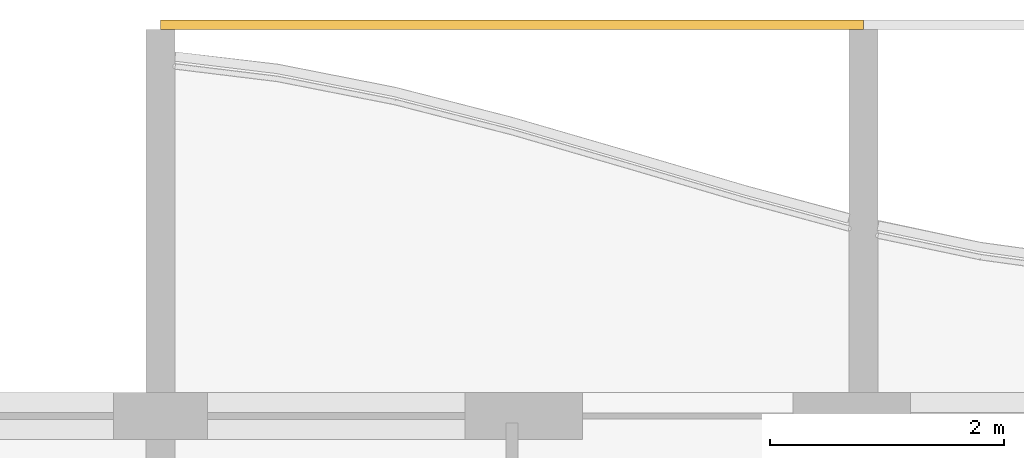
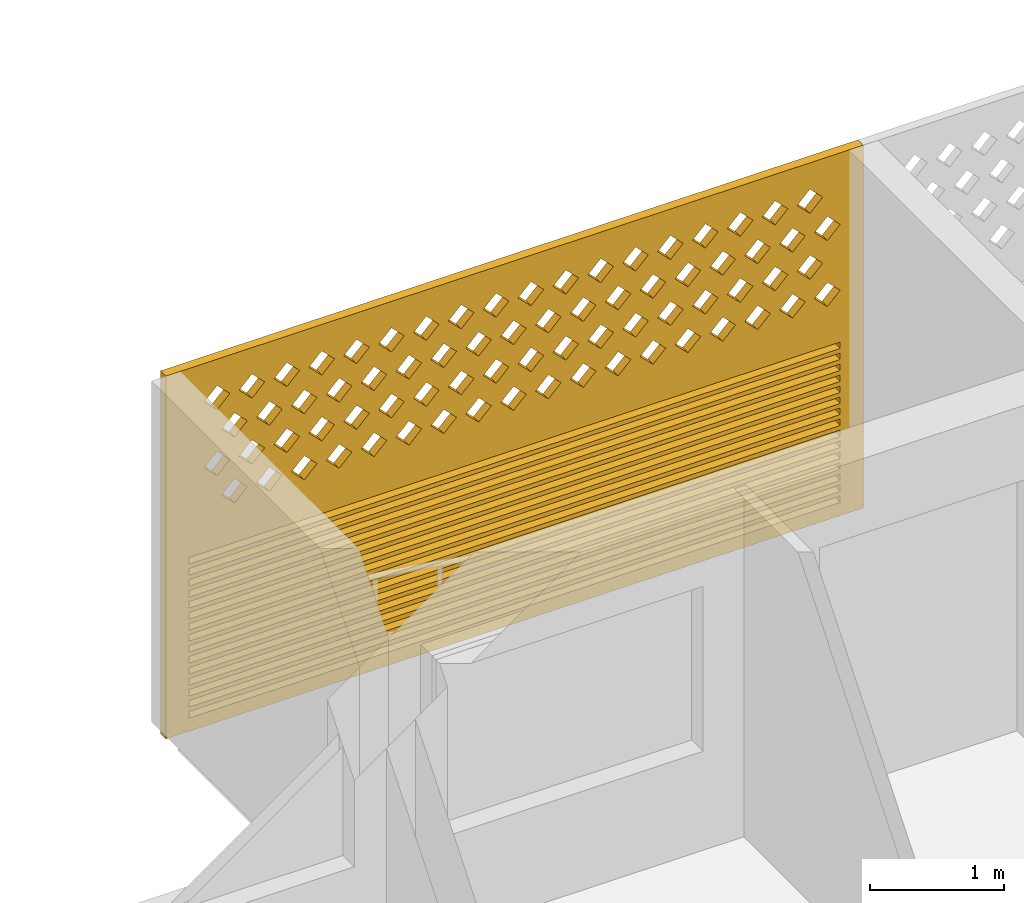
# One storey, part 17 of 27: 1 covering.
"""IFC4 building model written with IfcOpenShell, lengths in metres."""

from ifc_helpers import new_model, si_unit, direction, frame, origin, place, context, subcontext, project, spatial, polyline, outline, extrude, source, transform, mapped, material, material_profile, profile_set, type_object, element, save


model = new_model("IFC4")

# Units and contexts
model_context = context("Model", 3, precision=1e-05, world=origin(), true_north=direction((0.0, 1.0)))
body_context = subcontext(model_context, "Body", "Model", "MODEL_VIEW")
ifc_project = project(units=[si_unit("LENGTHUNIT", "METRE"), si_unit("AREAUNIT", "SQUARE_METRE"), si_unit("VOLUMEUNIT", "CUBIC_METRE"), si_unit("PLANEANGLEUNIT", "RADIAN"), si_unit("MASSUNIT", "GRAM", prefix="KILO")], contexts=[model_context])

# Site, building, storey
site_placement = place(None, origin())
site = spatial("IfcSite", under=ifc_project, at=site_placement, CompositionType="ELEMENT")
building_placement = place(site_placement, origin())
building = spatial("IfcBuilding", under=site, at=building_placement, Name="Poui Terraces", CompositionType="ELEMENT")
storey_placement = place(building_placement, frame((0.0, 0.0, 251.10009765625)))
storey = spatial("IfcBuildingStorey", under=building, at=storey_placement, Name="L70", CompositionType="ELEMENT", Elevation=251.10009765625)

# Covering
ifc_material = material(Name="Terracotta screen", Category="masonry")
ifc_material_profile = material_profile(ifc_material, outline(polyline([(-3.0, -1.64990234375), (3.0, -1.64990234375), (3.0, 1.64990234375), (-3.0, 1.64990234375), (-3.0, -1.64990234375)]), holes=[polyline([(-2.800048828125, 0.39990234375), (-2.68994140625, 0.2900390625), (-2.580078125, 0.39990234375), (-2.68994140625, 0.510009765625), (-2.800048828125, 0.39990234375)]), polyline([(-2.5, 0.39990234375), (-2.389892578125, 0.2900390625), (-2.280029296875, 0.39990234375), (-2.389892578125, 0.510009765625), (-2.5, 0.39990234375)]), polyline([(-2.199951171875, 0.39990234375), (-2.090087890625, 0.2900390625), (-1.97998046875, 0.39990234375), (-2.090087890625, 0.510009765625), (-2.199951171875, 0.39990234375)]), polyline([(-1.89990234375, 0.39990234375), (-1.7900390625, 0.2900390625), (-1.679931640625, 0.39990234375), (-1.7900390625, 0.510009765625), (-1.89990234375, 0.39990234375)]), polyline([(-1.60009765625, 0.39990234375), (-1.489990234375, 0.2900390625), (-1.3798828125, 0.39990234375), (-1.489990234375, 0.510009765625), (-1.60009765625, 0.39990234375)]), polyline([(-1.300048828125, 0.39990234375), (-1.18994140625, 0.2900390625), (-1.080078125, 0.39990234375), (-1.18994140625, 0.510009765625), (-1.300048828125, 0.39990234375)]), polyline([(-1.0, 0.39990234375), (-0.889892578125, 0.2900390625), (-0.780029296875, 0.39990234375), (-0.889892578125, 0.510009765625), (-1.0, 0.39990234375)]), polyline([(-0.699951171875, 0.39990234375), (-0.590087890625, 0.2900390625), (-0.47998046875, 0.39990234375), (-0.590087890625, 0.510009765625), (-0.699951171875, 0.39990234375)]), polyline([(-0.39990234375, 0.39990234375), (-0.2900390625, 0.2900390625), (-0.179931640625, 0.39990234375), (-0.2900390625, 0.510009765625), (-0.39990234375, 0.39990234375)]), polyline([(-0.10009765625, 0.39990234375), (0.010009765625, 0.2900390625), (0.1201171875, 0.39990234375), (0.010009765625, 0.510009765625), (-0.10009765625, 0.39990234375)]), polyline([(0.199951171875, 0.39990234375), (0.31005859375, 0.2900390625), (0.419921875, 0.39990234375), (0.31005859375, 0.510009765625), (0.199951171875, 0.39990234375)]), polyline([(0.5, 0.39990234375), (0.610107421875, 0.2900390625), (0.719970703125, 0.39990234375), (0.610107421875, 0.510009765625), (0.5, 0.39990234375)]), polyline([(0.800048828125, 0.39990234375), (0.909912109375, 0.2900390625), (1.02001953125, 0.39990234375), (0.909912109375, 0.510009765625), (0.800048828125, 0.39990234375)]), polyline([(1.10009765625, 0.39990234375), (1.2099609375, 0.2900390625), (1.320068359375, 0.39990234375), (1.2099609375, 0.510009765625), (1.10009765625, 0.39990234375)]), polyline([(1.39990234375, 0.39990234375), (1.510009765625, 0.2900390625), (1.6201171875, 0.39990234375), (1.510009765625, 0.510009765625), (1.39990234375, 0.39990234375)]), polyline([(1.699951171875, 0.39990234375), (1.81005859375, 0.2900390625), (1.919921875, 0.39990234375), (1.81005859375, 0.510009765625), (1.699951171875, 0.39990234375)]), polyline([(2.0, 0.39990234375), (2.110107421875, 0.2900390625), (2.219970703125, 0.39990234375), (2.110107421875, 0.510009765625), (2.0, 0.39990234375)]), polyline([(2.300048828125, 0.39990234375), (2.409912109375, 0.2900390625), (2.52001953125, 0.39990234375), (2.409912109375, 0.510009765625), (2.300048828125, 0.39990234375)]), polyline([(-2.64990234375, 0.699951171875), (-2.5400390625, 0.590087890625), (-2.429931640625, 0.699951171875), (-2.5400390625, 0.81005859375), (-2.64990234375, 0.699951171875)]), polyline([(-2.35009765625, 0.699951171875), (-2.239990234375, 0.590087890625), (-2.1298828125, 0.699951171875), (-2.239990234375, 0.81005859375), (-2.35009765625, 0.699951171875)]), polyline([(-2.050048828125, 0.699951171875), (-1.93994140625, 0.590087890625), (-1.830078125, 0.699951171875), (-1.93994140625, 0.81005859375), (-2.050048828125, 0.699951171875)]), polyline([(-1.75, 0.699951171875), (-1.639892578125, 0.590087890625), (-1.530029296875, 0.699951171875), (-1.639892578125, 0.81005859375), (-1.75, 0.699951171875)]), polyline([(-1.449951171875, 0.699951171875), (-1.340087890625, 0.590087890625), (-1.22998046875, 0.699951171875), (-1.340087890625, 0.81005859375), (-1.449951171875, 0.699951171875)]), polyline([(-1.14990234375, 0.699951171875), (-1.0400390625, 0.590087890625), (-0.929931640625, 0.699951171875), (-1.0400390625, 0.81005859375), (-1.14990234375, 0.699951171875)]), polyline([(-0.85009765625, 0.699951171875), (-0.739990234375, 0.590087890625), (-0.6298828125, 0.699951171875), (-0.739990234375, 0.81005859375), (-0.85009765625, 0.699951171875)]), polyline([(-0.550048828125, 0.699951171875), (-0.43994140625, 0.590087890625), (-0.330078125, 0.699951171875), (-0.43994140625, 0.81005859375), (-0.550048828125, 0.699951171875)]), polyline([(-0.25, 0.699951171875), (-0.139892578125, 0.590087890625), (-0.030029296875, 0.699951171875), (-0.139892578125, 0.81005859375), (-0.25, 0.699951171875)]), polyline([(0.050048828125, 0.699951171875), (0.159912109375, 0.590087890625), (0.27001953125, 0.699951171875), (0.159912109375, 0.81005859375), (0.050048828125, 0.699951171875)]), polyline([(0.35009765625, 0.699951171875), (0.4599609375, 0.590087890625), (0.570068359375, 0.699951171875), (0.4599609375, 0.81005859375), (0.35009765625, 0.699951171875)]), polyline([(0.64990234375, 0.699951171875), (0.760009765625, 0.590087890625), (0.8701171875, 0.699951171875), (0.760009765625, 0.81005859375), (0.64990234375, 0.699951171875)]), polyline([(0.949951171875, 0.699951171875), (1.06005859375, 0.590087890625), (1.169921875, 0.699951171875), (1.06005859375, 0.81005859375), (0.949951171875, 0.699951171875)]), polyline([(1.25, 0.699951171875), (1.360107421875, 0.590087890625), (1.469970703125, 0.699951171875), (1.360107421875, 0.81005859375), (1.25, 0.699951171875)]), polyline([(1.550048828125, 0.699951171875), (1.659912109375, 0.590087890625), (1.77001953125, 0.699951171875), (1.659912109375, 0.81005859375), (1.550048828125, 0.699951171875)]), polyline([(1.85009765625, 0.699951171875), (1.9599609375, 0.590087890625), (2.070068359375, 0.699951171875), (1.9599609375, 0.81005859375), (1.85009765625, 0.699951171875)]), polyline([(2.14990234375, 0.699951171875), (2.260009765625, 0.590087890625), (2.3701171875, 0.699951171875), (2.260009765625, 0.81005859375), (2.14990234375, 0.699951171875)]), polyline([(2.449951171875, 0.699951171875), (2.56005859375, 0.590087890625), (2.669921875, 0.699951171875), (2.56005859375, 0.81005859375), (2.449951171875, 0.699951171875)]), polyline([(-2.800048828125, 1.0), (-2.68994140625, 0.889892578125), (-2.580078125, 1.0), (-2.68994140625, 1.110107421875), (-2.800048828125, 1.0)]), polyline([(-2.5, 1.0), (-2.389892578125, 0.889892578125), (-2.280029296875, 1.0), (-2.389892578125, 1.110107421875), (-2.5, 1.0)]), polyline([(-2.199951171875, 1.0), (-2.090087890625, 0.889892578125), (-1.97998046875, 1.0), (-2.090087890625, 1.110107421875), (-2.199951171875, 1.0)]), polyline([(-1.89990234375, 1.0), (-1.7900390625, 0.889892578125), (-1.679931640625, 1.0), (-1.7900390625, 1.110107421875), (-1.89990234375, 1.0)]), polyline([(-1.60009765625, 1.0), (-1.489990234375, 0.889892578125), (-1.3798828125, 1.0), (-1.489990234375, 1.110107421875), (-1.60009765625, 1.0)]), polyline([(-1.300048828125, 1.0), (-1.18994140625, 0.889892578125), (-1.080078125, 1.0), (-1.18994140625, 1.110107421875), (-1.300048828125, 1.0)]), polyline([(-1.0, 1.0), (-0.889892578125, 0.889892578125), (-0.780029296875, 1.0), (-0.889892578125, 1.110107421875), (-1.0, 1.0)]), polyline([(-0.699951171875, 1.0), (-0.590087890625, 0.889892578125), (-0.47998046875, 1.0), (-0.590087890625, 1.110107421875), (-0.699951171875, 1.0)]), polyline([(-0.39990234375, 1.0), (-0.2900390625, 0.889892578125), (-0.179931640625, 1.0), (-0.2900390625, 1.110107421875), (-0.39990234375, 1.0)]), polyline([(-0.10009765625, 1.0), (0.010009765625, 0.889892578125), (0.1201171875, 1.0), (0.010009765625, 1.110107421875), (-0.10009765625, 1.0)]), polyline([(0.199951171875, 1.0), (0.31005859375, 0.889892578125), (0.419921875, 1.0), (0.31005859375, 1.110107421875), (0.199951171875, 1.0)]), polyline([(0.5, 1.0), (0.610107421875, 0.889892578125), (0.719970703125, 1.0), (0.610107421875, 1.110107421875), (0.5, 1.0)]), polyline([(0.800048828125, 1.0), (0.909912109375, 0.889892578125), (1.02001953125, 1.0), (0.909912109375, 1.110107421875), (0.800048828125, 1.0)]), polyline([(1.10009765625, 1.0), (1.2099609375, 0.889892578125), (1.320068359375, 1.0), (1.2099609375, 1.110107421875), (1.10009765625, 1.0)]), polyline([(1.39990234375, 1.0), (1.510009765625, 0.889892578125), (1.6201171875, 1.0), (1.510009765625, 1.110107421875), (1.39990234375, 1.0)]), polyline([(1.699951171875, 1.0), (1.81005859375, 0.889892578125), (1.919921875, 1.0), (1.81005859375, 1.110107421875), (1.699951171875, 1.0)]), polyline([(2.0, 1.0), (2.110107421875, 0.889892578125), (2.219970703125, 1.0), (2.110107421875, 1.110107421875), (2.0, 1.0)]), polyline([(2.300048828125, 1.0), (2.409912109375, 0.889892578125), (2.52001953125, 1.0), (2.409912109375, 1.110107421875), (2.300048828125, 1.0)]), polyline([(-2.64990234375, 1.300048828125), (-2.5400390625, 1.18994140625), (-2.429931640625, 1.300048828125), (-2.5400390625, 1.409912109375), (-2.64990234375, 1.300048828125)]), polyline([(-2.35009765625, 1.300048828125), (-2.239990234375, 1.18994140625), (-2.1298828125, 1.300048828125), (-2.239990234375, 1.409912109375), (-2.35009765625, 1.300048828125)]), polyline([(-2.050048828125, 1.300048828125), (-1.93994140625, 1.18994140625), (-1.830078125, 1.300048828125), (-1.93994140625, 1.409912109375), (-2.050048828125, 1.300048828125)]), polyline([(-1.75, 1.300048828125), (-1.639892578125, 1.18994140625), (-1.530029296875, 1.300048828125), (-1.639892578125, 1.409912109375), (-1.75, 1.300048828125)]), polyline([(-1.449951171875, 1.300048828125), (-1.340087890625, 1.18994140625), (-1.22998046875, 1.300048828125), (-1.340087890625, 1.409912109375), (-1.449951171875, 1.300048828125)]), polyline([(-1.14990234375, 1.300048828125), (-1.0400390625, 1.18994140625), (-0.929931640625, 1.300048828125), (-1.0400390625, 1.409912109375), (-1.14990234375, 1.300048828125)]), polyline([(-0.85009765625, 1.300048828125), (-0.739990234375, 1.18994140625), (-0.6298828125, 1.300048828125), (-0.739990234375, 1.409912109375), (-0.85009765625, 1.300048828125)]), polyline([(-0.550048828125, 1.300048828125), (-0.43994140625, 1.18994140625), (-0.330078125, 1.300048828125), (-0.43994140625, 1.409912109375), (-0.550048828125, 1.300048828125)]), polyline([(-0.25, 1.300048828125), (-0.139892578125, 1.18994140625), (-0.030029296875, 1.300048828125), (-0.139892578125, 1.409912109375), (-0.25, 1.300048828125)]), polyline([(0.050048828125, 1.300048828125), (0.159912109375, 1.18994140625), (0.27001953125, 1.300048828125), (0.159912109375, 1.409912109375), (0.050048828125, 1.300048828125)]), polyline([(0.35009765625, 1.300048828125), (0.4599609375, 1.18994140625), (0.570068359375, 1.300048828125), (0.4599609375, 1.409912109375), (0.35009765625, 1.300048828125)]), polyline([(0.64990234375, 1.300048828125), (0.760009765625, 1.18994140625), (0.8701171875, 1.300048828125), (0.760009765625, 1.409912109375), (0.64990234375, 1.300048828125)]), polyline([(0.949951171875, 1.300048828125), (1.06005859375, 1.18994140625), (1.169921875, 1.300048828125), (1.06005859375, 1.409912109375), (0.949951171875, 1.300048828125)]), polyline([(1.25, 1.300048828125), (1.360107421875, 1.18994140625), (1.469970703125, 1.300048828125), (1.360107421875, 1.409912109375), (1.25, 1.300048828125)]), polyline([(1.550048828125, 1.300048828125), (1.659912109375, 1.18994140625), (1.77001953125, 1.300048828125), (1.659912109375, 1.409912109375), (1.550048828125, 1.300048828125)]), polyline([(1.85009765625, 1.300048828125), (1.9599609375, 1.18994140625), (2.070068359375, 1.300048828125), (1.9599609375, 1.409912109375), (1.85009765625, 1.300048828125)]), polyline([(2.14990234375, 1.300048828125), (2.260009765625, 1.18994140625), (2.3701171875, 1.300048828125), (2.260009765625, 1.409912109375), (2.14990234375, 1.300048828125)]), polyline([(2.449951171875, 1.300048828125), (2.56005859375, 1.18994140625), (2.669921875, 1.300048828125), (2.56005859375, 1.409912109375), (2.449951171875, 1.300048828125)]), polyline([(-2.800048828125, -1.530029296875), (2.800048828125, -1.530029296875), (2.800048828125, -1.469970703125), (-2.800048828125, -1.469970703125), (-2.800048828125, -1.530029296875)]), polyline([(-2.800048828125, -1.429931640625), (2.800048828125, -1.429931640625), (2.800048828125, -1.3701171875), (-2.800048828125, -1.3701171875), (-2.800048828125, -1.429931640625)]), polyline([(-2.800048828125, -1.330078125), (2.800048828125, -1.330078125), (2.800048828125, -1.27001953125), (-2.800048828125, -1.27001953125), (-2.800048828125, -1.330078125)]), polyline([(-2.800048828125, -1.22998046875), (2.800048828125, -1.22998046875), (2.800048828125, -1.169921875), (-2.800048828125, -1.169921875), (-2.800048828125, -1.22998046875)]), polyline([(-2.800048828125, -1.1298828125), (2.800048828125, -1.1298828125), (2.800048828125, -1.070068359375), (-2.800048828125, -1.070068359375), (-2.800048828125, -1.1298828125)]), polyline([(-2.800048828125, -1.030029296875), (2.800048828125, -1.030029296875), (2.800048828125, -0.969970703125), (-2.800048828125, -0.969970703125), (-2.800048828125, -1.030029296875)]), polyline([(-2.800048828125, -0.929931640625), (2.800048828125, -0.929931640625), (2.800048828125, -0.8701171875), (-2.800048828125, -0.8701171875), (-2.800048828125, -0.929931640625)]), polyline([(-2.800048828125, -0.830078125), (2.800048828125, -0.830078125), (2.800048828125, -0.77001953125), (-2.800048828125, -0.77001953125), (-2.800048828125, -0.830078125)]), polyline([(-2.800048828125, -0.72998046875), (2.800048828125, -0.72998046875), (2.800048828125, -0.669921875), (-2.800048828125, -0.669921875), (-2.800048828125, -0.72998046875)]), polyline([(-2.800048828125, -0.6298828125), (2.800048828125, -0.6298828125), (2.800048828125, -0.570068359375), (-2.800048828125, -0.570068359375), (-2.800048828125, -0.6298828125)]), polyline([(-2.800048828125, -0.530029296875), (2.800048828125, -0.530029296875), (2.800048828125, -0.469970703125), (-2.800048828125, -0.469970703125), (-2.800048828125, -0.530029296875)]), polyline([(-2.800048828125, -0.429931640625), (2.800048828125, -0.429931640625), (2.800048828125, -0.3701171875), (-2.800048828125, -0.3701171875), (-2.800048828125, -0.429931640625)]), polyline([(-2.800048828125, -0.330078125), (2.800048828125, -0.330078125), (2.800048828125, -0.27001953125), (-2.800048828125, -0.27001953125), (-2.800048828125, -0.330078125)]), polyline([(-2.800048828125, -0.22998046875), (2.800048828125, -0.22998046875), (2.800048828125, -0.169921875), (-2.800048828125, -0.169921875), (-2.800048828125, -0.22998046875)]), polyline([(-2.800048828125, -0.1298828125), (2.800048828125, -0.1298828125), (2.800048828125, -0.070068359375), (-2.800048828125, -0.070068359375), (-2.800048828125, -0.1298828125)])]), Name="TERRACOTTA SCREEN AND JALOUSIE LOUVRE 6000X3300")
ifc_profile_set = profile_set([ifc_material_profile], Name="Terracotta screen")
covering_type = type_object("IfcCoveringType", Name="TERRACOTTA SCREEN AND JALOUSIE LOUVRE 6000X3300", PredefinedType="CLADDING", material=ifc_profile_set)
shared_shape = source(origin(), body_context, "Body", "SweptSolid", [
    extrude(outline(polyline([(-3.0, -1.64990234375), (3.0, -1.64990234375), (3.0, 1.64990234375), (-3.0, 1.64990234375), (-3.0, -1.64990234375)]), holes=[polyline([(-2.800048828125, 0.39990234375), (-2.68994140625, 0.2900390625), (-2.580078125, 0.39990234375), (-2.68994140625, 0.510009765625), (-2.800048828125, 0.39990234375)]), polyline([(-2.5, 0.39990234375), (-2.389892578125, 0.2900390625), (-2.280029296875, 0.39990234375), (-2.389892578125, 0.510009765625), (-2.5, 0.39990234375)]), polyline([(-2.199951171875, 0.39990234375), (-2.090087890625, 0.2900390625), (-1.97998046875, 0.39990234375), (-2.090087890625, 0.510009765625), (-2.199951171875, 0.39990234375)]), polyline([(-1.89990234375, 0.39990234375), (-1.7900390625, 0.2900390625), (-1.679931640625, 0.39990234375), (-1.7900390625, 0.510009765625), (-1.89990234375, 0.39990234375)]), polyline([(-1.60009765625, 0.39990234375), (-1.489990234375, 0.2900390625), (-1.3798828125, 0.39990234375), (-1.489990234375, 0.510009765625), (-1.60009765625, 0.39990234375)]), polyline([(-1.300048828125, 0.39990234375), (-1.18994140625, 0.2900390625), (-1.080078125, 0.39990234375), (-1.18994140625, 0.510009765625), (-1.300048828125, 0.39990234375)]), polyline([(-1.0, 0.39990234375), (-0.889892578125, 0.2900390625), (-0.780029296875, 0.39990234375), (-0.889892578125, 0.510009765625), (-1.0, 0.39990234375)]), polyline([(-0.699951171875, 0.39990234375), (-0.590087890625, 0.2900390625), (-0.47998046875, 0.39990234375), (-0.590087890625, 0.510009765625), (-0.699951171875, 0.39990234375)]), polyline([(-0.39990234375, 0.39990234375), (-0.2900390625, 0.2900390625), (-0.179931640625, 0.39990234375), (-0.2900390625, 0.510009765625), (-0.39990234375, 0.39990234375)]), polyline([(-0.10009765625, 0.39990234375), (0.010009765625, 0.2900390625), (0.1201171875, 0.39990234375), (0.010009765625, 0.510009765625), (-0.10009765625, 0.39990234375)]), polyline([(0.199951171875, 0.39990234375), (0.31005859375, 0.2900390625), (0.419921875, 0.39990234375), (0.31005859375, 0.510009765625), (0.199951171875, 0.39990234375)]), polyline([(0.5, 0.39990234375), (0.610107421875, 0.2900390625), (0.719970703125, 0.39990234375), (0.610107421875, 0.510009765625), (0.5, 0.39990234375)]), polyline([(0.800048828125, 0.39990234375), (0.909912109375, 0.2900390625), (1.02001953125, 0.39990234375), (0.909912109375, 0.510009765625), (0.800048828125, 0.39990234375)]), polyline([(1.10009765625, 0.39990234375), (1.2099609375, 0.2900390625), (1.320068359375, 0.39990234375), (1.2099609375, 0.510009765625), (1.10009765625, 0.39990234375)]), polyline([(1.39990234375, 0.39990234375), (1.510009765625, 0.2900390625), (1.6201171875, 0.39990234375), (1.510009765625, 0.510009765625), (1.39990234375, 0.39990234375)]), polyline([(1.699951171875, 0.39990234375), (1.81005859375, 0.2900390625), (1.919921875, 0.39990234375), (1.81005859375, 0.510009765625), (1.699951171875, 0.39990234375)]), polyline([(2.0, 0.39990234375), (2.110107421875, 0.2900390625), (2.219970703125, 0.39990234375), (2.110107421875, 0.510009765625), (2.0, 0.39990234375)]), polyline([(2.300048828125, 0.39990234375), (2.409912109375, 0.2900390625), (2.52001953125, 0.39990234375), (2.409912109375, 0.510009765625), (2.300048828125, 0.39990234375)]), polyline([(-2.64990234375, 0.699951171875), (-2.5400390625, 0.590087890625), (-2.429931640625, 0.699951171875), (-2.5400390625, 0.81005859375), (-2.64990234375, 0.699951171875)]), polyline([(-2.35009765625, 0.699951171875), (-2.239990234375, 0.590087890625), (-2.1298828125, 0.699951171875), (-2.239990234375, 0.81005859375), (-2.35009765625, 0.699951171875)]), polyline([(-2.050048828125, 0.699951171875), (-1.93994140625, 0.590087890625), (-1.830078125, 0.699951171875), (-1.93994140625, 0.81005859375), (-2.050048828125, 0.699951171875)]), polyline([(-1.75, 0.699951171875), (-1.639892578125, 0.590087890625), (-1.530029296875, 0.699951171875), (-1.639892578125, 0.81005859375), (-1.75, 0.699951171875)]), polyline([(-1.449951171875, 0.699951171875), (-1.340087890625, 0.590087890625), (-1.22998046875, 0.699951171875), (-1.340087890625, 0.81005859375), (-1.449951171875, 0.699951171875)]), polyline([(-1.14990234375, 0.699951171875), (-1.0400390625, 0.590087890625), (-0.929931640625, 0.699951171875), (-1.0400390625, 0.81005859375), (-1.14990234375, 0.699951171875)]), polyline([(-0.85009765625, 0.699951171875), (-0.739990234375, 0.590087890625), (-0.6298828125, 0.699951171875), (-0.739990234375, 0.81005859375), (-0.85009765625, 0.699951171875)]), polyline([(-0.550048828125, 0.699951171875), (-0.43994140625, 0.590087890625), (-0.330078125, 0.699951171875), (-0.43994140625, 0.81005859375), (-0.550048828125, 0.699951171875)]), polyline([(-0.25, 0.699951171875), (-0.139892578125, 0.590087890625), (-0.030029296875, 0.699951171875), (-0.139892578125, 0.81005859375), (-0.25, 0.699951171875)]), polyline([(0.050048828125, 0.699951171875), (0.159912109375, 0.590087890625), (0.27001953125, 0.699951171875), (0.159912109375, 0.81005859375), (0.050048828125, 0.699951171875)]), polyline([(0.35009765625, 0.699951171875), (0.4599609375, 0.590087890625), (0.570068359375, 0.699951171875), (0.4599609375, 0.81005859375), (0.35009765625, 0.699951171875)]), polyline([(0.64990234375, 0.699951171875), (0.760009765625, 0.590087890625), (0.8701171875, 0.699951171875), (0.760009765625, 0.81005859375), (0.64990234375, 0.699951171875)]), polyline([(0.949951171875, 0.699951171875), (1.06005859375, 0.590087890625), (1.169921875, 0.699951171875), (1.06005859375, 0.81005859375), (0.949951171875, 0.699951171875)]), polyline([(1.25, 0.699951171875), (1.360107421875, 0.590087890625), (1.469970703125, 0.699951171875), (1.360107421875, 0.81005859375), (1.25, 0.699951171875)]), polyline([(1.550048828125, 0.699951171875), (1.659912109375, 0.590087890625), (1.77001953125, 0.699951171875), (1.659912109375, 0.81005859375), (1.550048828125, 0.699951171875)]), polyline([(1.85009765625, 0.699951171875), (1.9599609375, 0.590087890625), (2.070068359375, 0.699951171875), (1.9599609375, 0.81005859375), (1.85009765625, 0.699951171875)]), polyline([(2.14990234375, 0.699951171875), (2.260009765625, 0.590087890625), (2.3701171875, 0.699951171875), (2.260009765625, 0.81005859375), (2.14990234375, 0.699951171875)]), polyline([(2.449951171875, 0.699951171875), (2.56005859375, 0.590087890625), (2.669921875, 0.699951171875), (2.56005859375, 0.81005859375), (2.449951171875, 0.699951171875)]), polyline([(-2.800048828125, 1.0), (-2.68994140625, 0.889892578125), (-2.580078125, 1.0), (-2.68994140625, 1.110107421875), (-2.800048828125, 1.0)]), polyline([(-2.5, 1.0), (-2.389892578125, 0.889892578125), (-2.280029296875, 1.0), (-2.389892578125, 1.110107421875), (-2.5, 1.0)]), polyline([(-2.199951171875, 1.0), (-2.090087890625, 0.889892578125), (-1.97998046875, 1.0), (-2.090087890625, 1.110107421875), (-2.199951171875, 1.0)]), polyline([(-1.89990234375, 1.0), (-1.7900390625, 0.889892578125), (-1.679931640625, 1.0), (-1.7900390625, 1.110107421875), (-1.89990234375, 1.0)]), polyline([(-1.60009765625, 1.0), (-1.489990234375, 0.889892578125), (-1.3798828125, 1.0), (-1.489990234375, 1.110107421875), (-1.60009765625, 1.0)]), polyline([(-1.300048828125, 1.0), (-1.18994140625, 0.889892578125), (-1.080078125, 1.0), (-1.18994140625, 1.110107421875), (-1.300048828125, 1.0)]), polyline([(-1.0, 1.0), (-0.889892578125, 0.889892578125), (-0.780029296875, 1.0), (-0.889892578125, 1.110107421875), (-1.0, 1.0)]), polyline([(-0.699951171875, 1.0), (-0.590087890625, 0.889892578125), (-0.47998046875, 1.0), (-0.590087890625, 1.110107421875), (-0.699951171875, 1.0)]), polyline([(-0.39990234375, 1.0), (-0.2900390625, 0.889892578125), (-0.179931640625, 1.0), (-0.2900390625, 1.110107421875), (-0.39990234375, 1.0)]), polyline([(-0.10009765625, 1.0), (0.010009765625, 0.889892578125), (0.1201171875, 1.0), (0.010009765625, 1.110107421875), (-0.10009765625, 1.0)]), polyline([(0.199951171875, 1.0), (0.31005859375, 0.889892578125), (0.419921875, 1.0), (0.31005859375, 1.110107421875), (0.199951171875, 1.0)]), polyline([(0.5, 1.0), (0.610107421875, 0.889892578125), (0.719970703125, 1.0), (0.610107421875, 1.110107421875), (0.5, 1.0)]), polyline([(0.800048828125, 1.0), (0.909912109375, 0.889892578125), (1.02001953125, 1.0), (0.909912109375, 1.110107421875), (0.800048828125, 1.0)]), polyline([(1.10009765625, 1.0), (1.2099609375, 0.889892578125), (1.320068359375, 1.0), (1.2099609375, 1.110107421875), (1.10009765625, 1.0)]), polyline([(1.39990234375, 1.0), (1.510009765625, 0.889892578125), (1.6201171875, 1.0), (1.510009765625, 1.110107421875), (1.39990234375, 1.0)]), polyline([(1.699951171875, 1.0), (1.81005859375, 0.889892578125), (1.919921875, 1.0), (1.81005859375, 1.110107421875), (1.699951171875, 1.0)]), polyline([(2.0, 1.0), (2.110107421875, 0.889892578125), (2.219970703125, 1.0), (2.110107421875, 1.110107421875), (2.0, 1.0)]), polyline([(2.300048828125, 1.0), (2.409912109375, 0.889892578125), (2.52001953125, 1.0), (2.409912109375, 1.110107421875), (2.300048828125, 1.0)]), polyline([(-2.64990234375, 1.300048828125), (-2.5400390625, 1.18994140625), (-2.429931640625, 1.300048828125), (-2.5400390625, 1.409912109375), (-2.64990234375, 1.300048828125)]), polyline([(-2.35009765625, 1.300048828125), (-2.239990234375, 1.18994140625), (-2.1298828125, 1.300048828125), (-2.239990234375, 1.409912109375), (-2.35009765625, 1.300048828125)]), polyline([(-2.050048828125, 1.300048828125), (-1.93994140625, 1.18994140625), (-1.830078125, 1.300048828125), (-1.93994140625, 1.409912109375), (-2.050048828125, 1.300048828125)]), polyline([(-1.75, 1.300048828125), (-1.639892578125, 1.18994140625), (-1.530029296875, 1.300048828125), (-1.639892578125, 1.409912109375), (-1.75, 1.300048828125)]), polyline([(-1.449951171875, 1.300048828125), (-1.340087890625, 1.18994140625), (-1.22998046875, 1.300048828125), (-1.340087890625, 1.409912109375), (-1.449951171875, 1.300048828125)]), polyline([(-1.14990234375, 1.300048828125), (-1.0400390625, 1.18994140625), (-0.929931640625, 1.300048828125), (-1.0400390625, 1.409912109375), (-1.14990234375, 1.300048828125)]), polyline([(-0.85009765625, 1.300048828125), (-0.739990234375, 1.18994140625), (-0.6298828125, 1.300048828125), (-0.739990234375, 1.409912109375), (-0.85009765625, 1.300048828125)]), polyline([(-0.550048828125, 1.300048828125), (-0.43994140625, 1.18994140625), (-0.330078125, 1.300048828125), (-0.43994140625, 1.409912109375), (-0.550048828125, 1.300048828125)]), polyline([(-0.25, 1.300048828125), (-0.139892578125, 1.18994140625), (-0.030029296875, 1.300048828125), (-0.139892578125, 1.409912109375), (-0.25, 1.300048828125)]), polyline([(0.050048828125, 1.300048828125), (0.159912109375, 1.18994140625), (0.27001953125, 1.300048828125), (0.159912109375, 1.409912109375), (0.050048828125, 1.300048828125)]), polyline([(0.35009765625, 1.300048828125), (0.4599609375, 1.18994140625), (0.570068359375, 1.300048828125), (0.4599609375, 1.409912109375), (0.35009765625, 1.300048828125)]), polyline([(0.64990234375, 1.300048828125), (0.760009765625, 1.18994140625), (0.8701171875, 1.300048828125), (0.760009765625, 1.409912109375), (0.64990234375, 1.300048828125)]), polyline([(0.949951171875, 1.300048828125), (1.06005859375, 1.18994140625), (1.169921875, 1.300048828125), (1.06005859375, 1.409912109375), (0.949951171875, 1.300048828125)]), polyline([(1.25, 1.300048828125), (1.360107421875, 1.18994140625), (1.469970703125, 1.300048828125), (1.360107421875, 1.409912109375), (1.25, 1.300048828125)]), polyline([(1.550048828125, 1.300048828125), (1.659912109375, 1.18994140625), (1.77001953125, 1.300048828125), (1.659912109375, 1.409912109375), (1.550048828125, 1.300048828125)]), polyline([(1.85009765625, 1.300048828125), (1.9599609375, 1.18994140625), (2.070068359375, 1.300048828125), (1.9599609375, 1.409912109375), (1.85009765625, 1.300048828125)]), polyline([(2.14990234375, 1.300048828125), (2.260009765625, 1.18994140625), (2.3701171875, 1.300048828125), (2.260009765625, 1.409912109375), (2.14990234375, 1.300048828125)]), polyline([(2.449951171875, 1.300048828125), (2.56005859375, 1.18994140625), (2.669921875, 1.300048828125), (2.56005859375, 1.409912109375), (2.449951171875, 1.300048828125)]), polyline([(-2.800048828125, -1.530029296875), (2.800048828125, -1.530029296875), (2.800048828125, -1.469970703125), (-2.800048828125, -1.469970703125), (-2.800048828125, -1.530029296875)]), polyline([(-2.800048828125, -1.429931640625), (2.800048828125, -1.429931640625), (2.800048828125, -1.3701171875), (-2.800048828125, -1.3701171875), (-2.800048828125, -1.429931640625)]), polyline([(-2.800048828125, -1.330078125), (2.800048828125, -1.330078125), (2.800048828125, -1.27001953125), (-2.800048828125, -1.27001953125), (-2.800048828125, -1.330078125)]), polyline([(-2.800048828125, -1.22998046875), (2.800048828125, -1.22998046875), (2.800048828125, -1.169921875), (-2.800048828125, -1.169921875), (-2.800048828125, -1.22998046875)]), polyline([(-2.800048828125, -1.1298828125), (2.800048828125, -1.1298828125), (2.800048828125, -1.070068359375), (-2.800048828125, -1.070068359375), (-2.800048828125, -1.1298828125)]), polyline([(-2.800048828125, -1.030029296875), (2.800048828125, -1.030029296875), (2.800048828125, -0.969970703125), (-2.800048828125, -0.969970703125), (-2.800048828125, -1.030029296875)]), polyline([(-2.800048828125, -0.929931640625), (2.800048828125, -0.929931640625), (2.800048828125, -0.8701171875), (-2.800048828125, -0.8701171875), (-2.800048828125, -0.929931640625)]), polyline([(-2.800048828125, -0.830078125), (2.800048828125, -0.830078125), (2.800048828125, -0.77001953125), (-2.800048828125, -0.77001953125), (-2.800048828125, -0.830078125)]), polyline([(-2.800048828125, -0.72998046875), (2.800048828125, -0.72998046875), (2.800048828125, -0.669921875), (-2.800048828125, -0.669921875), (-2.800048828125, -0.72998046875)]), polyline([(-2.800048828125, -0.6298828125), (2.800048828125, -0.6298828125), (2.800048828125, -0.570068359375), (-2.800048828125, -0.570068359375), (-2.800048828125, -0.6298828125)]), polyline([(-2.800048828125, -0.530029296875), (2.800048828125, -0.530029296875), (2.800048828125, -0.469970703125), (-2.800048828125, -0.469970703125), (-2.800048828125, -0.530029296875)]), polyline([(-2.800048828125, -0.429931640625), (2.800048828125, -0.429931640625), (2.800048828125, -0.3701171875), (-2.800048828125, -0.3701171875), (-2.800048828125, -0.429931640625)]), polyline([(-2.800048828125, -0.330078125), (2.800048828125, -0.330078125), (2.800048828125, -0.27001953125), (-2.800048828125, -0.27001953125), (-2.800048828125, -0.330078125)]), polyline([(-2.800048828125, -0.22998046875), (2.800048828125, -0.22998046875), (2.800048828125, -0.169921875), (-2.800048828125, -0.169921875), (-2.800048828125, -0.22998046875)]), polyline([(-2.800048828125, -0.1298828125), (2.800048828125, -0.1298828125), (2.800048828125, -0.070068359375), (-2.800048828125, -0.070068359375), (-2.800048828125, -0.1298828125)])]), origin(), (0.0, 0.0, 1.0), 0.080078125),
])
covering_placement = place(storey_placement, frame((33.0, 44.5, 1.449951171875), z_axis=(0.0, 1.0, 0.0), x_axis=(-1.0, 0.0, 0.0)))
element("IfcCovering", 1, at=covering_placement, inside=storey, type_object=covering_type, Name="SOLAR SCREEN AND JALOUSIE LOUVRE", PredefinedType="CLADDING", context=body_context, shape_type="MappedRepresentation", body=[
    mapped(shared_shape, transform((0.0, 0.0, 0.0))),
])

save(model, "model.ifc")
